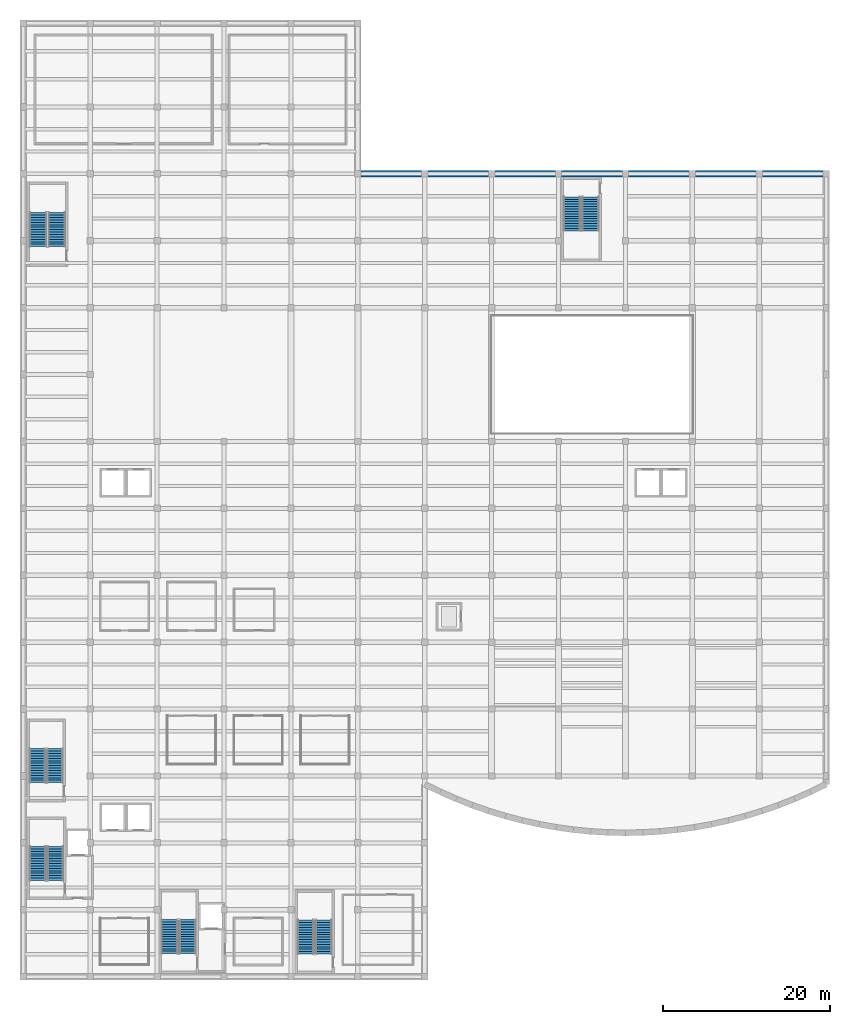
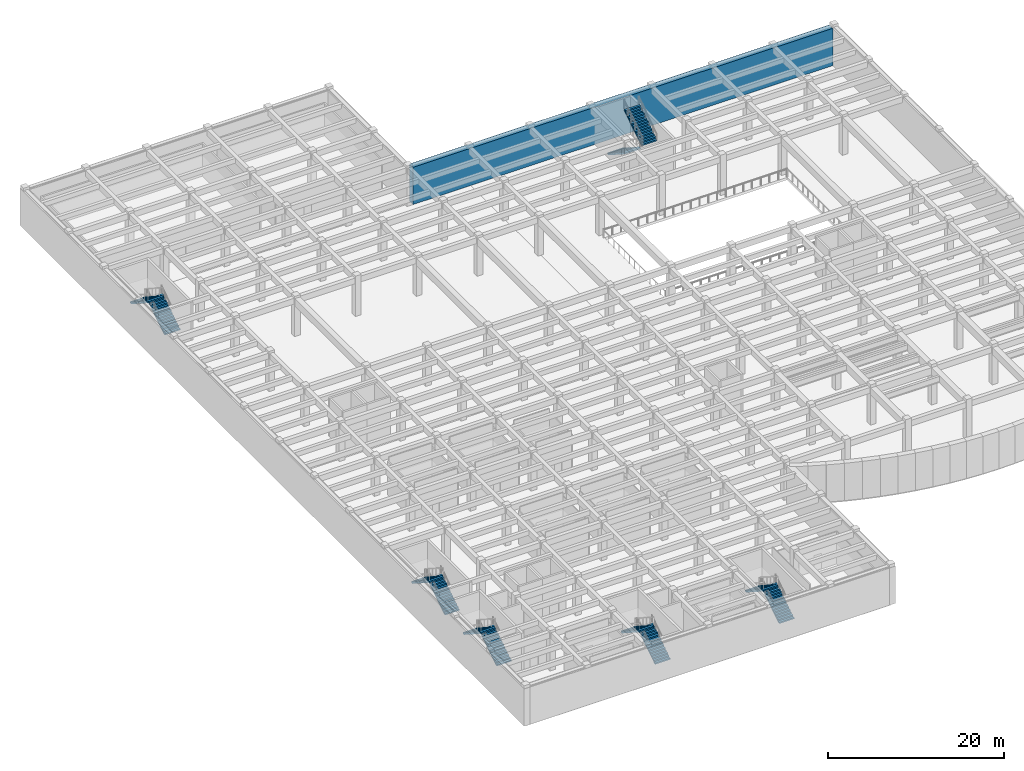
# One storey, part 11 of 19: 12 stair flights, 1 wall, 6 elements without a shape of their own.
"""IFC4 building model written with IfcOpenShell, lengths in metres."""

from ifc_helpers import new_model, si_unit, direction, frame, frame_2d, origin, place, context, subcontext, project, spatial, polyline, rectangle, outline, extrude, material, layer, layer_set, type_object, element, aggregate, save


model = new_model("IFC4")

# Units and contexts
model_context = context("Model", 3, precision=1e-05, world=origin(), true_north=direction((0.0, 1.0)))
body_context = subcontext(model_context, "Body", "Model", "MODEL_VIEW")
ifc_project = project(units=[si_unit("LENGTHUNIT", "METRE"), si_unit("AREAUNIT", "SQUARE_METRE"), si_unit("VOLUMEUNIT", "CUBIC_METRE"), si_unit("PLANEANGLEUNIT", "RADIAN"), si_unit("MASSUNIT", "GRAM", prefix="KILO")], contexts=[model_context])

# Site, building, storey
site_placement = place(None, origin())
site = spatial("IfcSite", under=ifc_project, at=site_placement, CompositionType="ELEMENT")
building_placement = place(site_placement, origin())
building = spatial("IfcBuilding", under=site, at=building_placement, Name="Drelvath Fold Interchange", CompositionType="ELEMENT")
storey_placement = place(building_placement, frame((0.0, 0.0, -5.60009765625)))
storey = spatial("IfcBuildingStorey", under=building, at=storey_placement, Name="B1", CompositionType="ELEMENT", Elevation=-5.60009765625)

# Wall
ifc_material_1 = material(Name="Concrete f'c 45 MPa (6500 psi)", Category="concrete")
ifc_layer = layer(ifc_material_1, 0.800048828125, Name="Concrete f'c 45 MPa (6500 psi)")
ifc_layer_set = layer_set([ifc_layer], Name="Concrete f'c 45 MPa (6500 psi)")
wall_type = type_object("IfcWallType", Name="WL-DW800", PredefinedType="SOLIDWALL", material=ifc_layer_set)
wall_placement = place(storey_placement, frame((44.39990234375, 99.0, 0.0), z_axis=(0.0, 0.0, 1.0), x_axis=(1.0, 0.0, 0.0)))
element("IfcWall", 1, at=wall_placement, inside=storey, type_object=wall_type, Name="B1 diaphragm wall 35", PredefinedType="SOLIDWALL", context=body_context, shape_type="SweptSolid", body=[
    extrude(rectangle(XDim=55.2001953125, YDim=0.800048828125, at=frame_2d((27.60009765625, 0.0))), origin(), (0.0, 0.0, 1.0), 5.18017578125),
])

# Stair, stair flights
ifc_material_2 = material(Name="Concrete f'c 35 MPa (5000 psi)", Category="concrete")
stair_type_1 = type_object("IfcStairType", Name="STR-01", PredefinedType="HALF_TURN_STAIR", material=ifc_material_2)
stair_1_placement = place(storey_placement, origin())
stair_1 = element("IfcStair", 2, at=stair_1_placement, inside=storey, type_object=stair_type_1, Name="B1 Protected Exit Stair ST-01", PredefinedType="HALF_TURN_STAIR")
stair_flight_type_1 = type_object("IfcStairFlightType", Name="STF-01", PredefinedType="STRAIGHT", material=ifc_material_2)
stair_flight_1_placement = place(storey_placement, frame((7.844970703125, 14.5, 0.0), z_axis=(0.0, 0.0, 1.0), x_axis=(0.0, 1.0, 0.0)))
stair_flight_1 = element("IfcStairFlight", 3, at=stair_flight_1_placement, type_object=stair_flight_type_1, Name="ST-01 flight 1", NumberOfRisers=15, NumberOfTreads=14, PredefinedType="STRAIGHT", RiserHeight=0.186666667, TreadLength=0.29, context=body_context, shape_type="SweptSolid", body=[
    extrude(outline(polyline([(0.0, 0.0), (0.0, 0.186767578125), (0.2900390625, 0.186767578125), (0.2900390625, 0.373291015625), (0.580078125, 0.373291015625), (0.580078125, 0.56005859375), (0.8701171875, 0.56005859375), (0.8701171875, 0.74658203125), (1.159912109375, 0.74658203125), (1.159912109375, 0.933349609375), (1.449951171875, 0.933349609375), (1.449951171875, 1.1201171875), (1.739990234375, 1.1201171875), (1.739990234375, 1.306640625), (2.030029296875, 1.306640625), (2.030029296875, 1.493408203125), (2.320068359375, 1.493408203125), (2.320068359375, 1.679931640625), (2.610107421875, 1.679931640625), (2.610107421875, 1.86669921875), (2.89990234375, 1.86669921875), (2.89990234375, 2.05322265625), (3.18994140625, 2.05322265625), (3.18994140625, 2.239990234375), (3.47998046875, 2.239990234375), (3.47998046875, 2.4267578125), (3.77001953125, 2.4267578125), (3.77001953125, 2.61328125), (4.06005859375, 2.61328125), (4.06005859375, 2.800048828125), (4.06005859375, 2.43505859375), (0.27685546875, 0.0), (0.0, 0.0)])), frame((0.0, 0.96484375, 0.0), z_axis=(0.0, -1.0, 0.0), x_axis=(1.0, 0.0, 0.0)), (0.0, 0.0, 1.0), 1.929931640625),
])
stair_flight_2_placement = place(storey_placement, frame((5.715087890625, 18.56005859375, 2.800048828125), z_axis=(0.0, 0.0, 1.0), x_axis=(0.0, -1.0, 0.0)))
stair_flight_2 = element("IfcStairFlight", 4, at=stair_flight_2_placement, type_object=stair_flight_type_1, Name="ST-01 flight 2", NumberOfRisers=15, NumberOfTreads=14, PredefinedType="STRAIGHT", RiserHeight=0.186666667, TreadLength=0.29, context=body_context, shape_type="SweptSolid", body=[
    extrude(outline(polyline([(0.0, 0.0), (0.0, 0.186767578125), (0.2900390625, 0.186767578125), (0.2900390625, 0.373291015625), (0.580078125, 0.373291015625), (0.580078125, 0.56005859375), (0.8701171875, 0.56005859375), (0.8701171875, 0.74658203125), (1.159912109375, 0.74658203125), (1.159912109375, 0.933349609375), (1.449951171875, 0.933349609375), (1.449951171875, 1.1201171875), (1.739990234375, 1.1201171875), (1.739990234375, 1.306640625), (2.030029296875, 1.306640625), (2.030029296875, 1.493408203125), (2.320068359375, 1.493408203125), (2.320068359375, 1.679931640625), (2.610107421875, 1.679931640625), (2.610107421875, 1.86669921875), (2.89990234375, 1.86669921875), (2.89990234375, 2.05322265625), (3.18994140625, 2.05322265625), (3.18994140625, 2.239990234375), (3.47998046875, 2.239990234375), (3.47998046875, 2.4267578125), (3.77001953125, 2.4267578125), (3.77001953125, 2.61328125), (4.06005859375, 2.61328125), (4.06005859375, 2.800048828125), (4.06005859375, 2.43505859375), (0.27685546875, 0.0), (0.0, 0.0)])), frame((0.0, 0.96484375, 0.0), z_axis=(0.0, -1.0, 0.0), x_axis=(1.0, 0.0, 0.0)), (0.0, 0.0, 1.0), 1.929931640625),
])
aggregate(stair_1, [stair_flight_1, stair_flight_2])

stair_type_2 = type_object("IfcStairType", Name="STR-02", PredefinedType="HALF_TURN_STAIR", material=ifc_material_2)
stair_2_placement = place(storey_placement, origin())
stair_2 = element("IfcStair", 5, at=stair_2_placement, inside=storey, type_object=stair_type_2, Name="B1 Protected Exit Stair ST-02", PredefinedType="HALF_TURN_STAIR")
stair_flight_type_2 = type_object("IfcStairFlightType", Name="STF-02", PredefinedType="STRAIGHT", material=ifc_material_2)
stair_flight_3_placement = place(storey_placement, frame((7.784912109375, 26.199951171875, 0.0), z_axis=(0.0, 0.0, 1.0), x_axis=(0.0, 1.0, 0.0)))
stair_flight_3 = element("IfcStairFlight", 6, at=stair_flight_3_placement, type_object=stair_flight_type_2, Name="ST-02 flight 1", NumberOfRisers=15, NumberOfTreads=14, PredefinedType="STRAIGHT", RiserHeight=0.186666667, TreadLength=0.29, context=body_context, shape_type="SweptSolid", body=[
    extrude(outline(polyline([(0.0, 0.0), (0.0, 0.186767578125), (0.2900390625, 0.186767578125), (0.2900390625, 0.373291015625), (0.580078125, 0.373291015625), (0.580078125, 0.56005859375), (0.8701171875, 0.56005859375), (0.8701171875, 0.74658203125), (1.159912109375, 0.74658203125), (1.159912109375, 0.933349609375), (1.449951171875, 0.933349609375), (1.449951171875, 1.1201171875), (1.739990234375, 1.1201171875), (1.739990234375, 1.306640625), (2.030029296875, 1.306640625), (2.030029296875, 1.493408203125), (2.320068359375, 1.493408203125), (2.320068359375, 1.679931640625), (2.610107421875, 1.679931640625), (2.610107421875, 1.86669921875), (2.89990234375, 1.86669921875), (2.89990234375, 2.05322265625), (3.18994140625, 2.05322265625), (3.18994140625, 2.239990234375), (3.47998046875, 2.239990234375), (3.47998046875, 2.4267578125), (3.77001953125, 2.4267578125), (3.77001953125, 2.61328125), (4.06005859375, 2.61328125), (4.06005859375, 2.800048828125), (4.06005859375, 2.43505859375), (0.27685546875, 0.0), (0.0, 0.0)])), frame((0.0, 0.94482421875, 0.0), z_axis=(0.0, -1.0, 0.0), x_axis=(1.0, 0.0, 0.0)), (0.0, 0.0, 1.0), 1.889892578125),
])
stair_flight_4_placement = place(storey_placement, frame((5.695068359375, 30.260009765625, 2.800048828125), z_axis=(0.0, 0.0, 1.0), x_axis=(0.0, -1.0, 0.0)))
stair_flight_4 = element("IfcStairFlight", 7, at=stair_flight_4_placement, type_object=stair_flight_type_2, Name="ST-02 flight 2", NumberOfRisers=15, NumberOfTreads=14, PredefinedType="STRAIGHT", RiserHeight=0.186666667, TreadLength=0.29, context=body_context, shape_type="SweptSolid", body=[
    extrude(outline(polyline([(0.0, 0.0), (0.0, 0.186767578125), (0.2900390625, 0.186767578125), (0.2900390625, 0.373291015625), (0.580078125, 0.373291015625), (0.580078125, 0.56005859375), (0.8701171875, 0.56005859375), (0.8701171875, 0.74658203125), (1.159912109375, 0.74658203125), (1.159912109375, 0.933349609375), (1.449951171875, 0.933349609375), (1.449951171875, 1.1201171875), (1.739990234375, 1.1201171875), (1.739990234375, 1.306640625), (2.030029296875, 1.306640625), (2.030029296875, 1.493408203125), (2.320068359375, 1.493408203125), (2.320068359375, 1.679931640625), (2.610107421875, 1.679931640625), (2.610107421875, 1.86669921875), (2.89990234375, 1.86669921875), (2.89990234375, 2.05322265625), (3.18994140625, 2.05322265625), (3.18994140625, 2.239990234375), (3.47998046875, 2.239990234375), (3.47998046875, 2.4267578125), (3.77001953125, 2.4267578125), (3.77001953125, 2.61328125), (4.06005859375, 2.61328125), (4.06005859375, 2.800048828125), (4.06005859375, 2.43505859375), (0.27685546875, 0.0), (0.0, 0.0)])), frame((0.0, 0.94482421875, 0.0), z_axis=(0.0, -1.0, 0.0), x_axis=(1.0, 0.0, 0.0)), (0.0, 0.0, 1.0), 1.889892578125),
])
aggregate(stair_2, [stair_flight_3, stair_flight_4])

stair_type_3 = type_object("IfcStairType", Name="STR-03", PredefinedType="HALF_TURN_STAIR", material=ifc_material_2)
stair_3_placement = place(storey_placement, origin())
stair_3 = element("IfcStair", 8, at=stair_3_placement, inside=storey, type_object=stair_type_3, Name="B1 Protected Exit Stair ST-03", PredefinedType="HALF_TURN_STAIR")
stair_flight_type_3 = type_object("IfcStairFlightType", Name="STF-03", PredefinedType="STRAIGHT", material=ifc_material_2)
stair_flight_5_placement = place(storey_placement, frame((23.669921875, 5.75, 0.0), z_axis=(0.0, 0.0, 1.0), x_axis=(0.0, 1.0, 0.0)))
stair_flight_5 = element("IfcStairFlight", 9, at=stair_flight_5_placement, type_object=stair_flight_type_3, Name="ST-03 flight 1", NumberOfRisers=15, NumberOfTreads=14, PredefinedType="STRAIGHT", RiserHeight=0.186666667, TreadLength=0.29, context=body_context, shape_type="SweptSolid", body=[
    extrude(outline(polyline([(0.0, 0.0), (0.0, 0.186767578125), (0.2900390625, 0.186767578125), (0.2900390625, 0.373291015625), (0.580078125, 0.373291015625), (0.580078125, 0.56005859375), (0.8701171875, 0.56005859375), (0.8701171875, 0.74658203125), (1.159912109375, 0.74658203125), (1.159912109375, 0.933349609375), (1.449951171875, 0.933349609375), (1.449951171875, 1.1201171875), (1.739990234375, 1.1201171875), (1.739990234375, 1.306640625), (2.030029296875, 1.306640625), (2.030029296875, 1.493408203125), (2.320068359375, 1.493408203125), (2.320068359375, 1.679931640625), (2.610107421875, 1.679931640625), (2.610107421875, 1.86669921875), (2.89990234375, 1.86669921875), (2.89990234375, 2.05322265625), (3.18994140625, 2.05322265625), (3.18994140625, 2.239990234375), (3.47998046875, 2.239990234375), (3.47998046875, 2.4267578125), (3.77001953125, 2.4267578125), (3.77001953125, 2.61328125), (4.06005859375, 2.61328125), (4.06005859375, 2.800048828125), (4.06005859375, 2.43505859375), (0.27685546875, 0.0), (0.0, 0.0)])), frame((0.0, 0.989990234375, 0.0), z_axis=(0.0, -1.0, 0.0), x_axis=(1.0, 0.0, 0.0)), (0.0, 0.0, 1.0), 1.97998046875),
])
stair_flight_6_placement = place(storey_placement, frame((21.489990234375, 9.81005859375, 2.800048828125), z_axis=(0.0, 0.0, 1.0), x_axis=(0.0, -1.0, 0.0)))
stair_flight_6 = element("IfcStairFlight", 10, at=stair_flight_6_placement, type_object=stair_flight_type_3, Name="ST-03 flight 2", NumberOfRisers=15, NumberOfTreads=14, PredefinedType="STRAIGHT", RiserHeight=0.186666667, TreadLength=0.29, context=body_context, shape_type="SweptSolid", body=[
    extrude(outline(polyline([(0.0, 0.0), (0.0, 0.186767578125), (0.2900390625, 0.186767578125), (0.2900390625, 0.373291015625), (0.580078125, 0.373291015625), (0.580078125, 0.56005859375), (0.8701171875, 0.56005859375), (0.8701171875, 0.74658203125), (1.159912109375, 0.74658203125), (1.159912109375, 0.933349609375), (1.449951171875, 0.933349609375), (1.449951171875, 1.1201171875), (1.739990234375, 1.1201171875), (1.739990234375, 1.306640625), (2.030029296875, 1.306640625), (2.030029296875, 1.493408203125), (2.320068359375, 1.493408203125), (2.320068359375, 1.679931640625), (2.610107421875, 1.679931640625), (2.610107421875, 1.86669921875), (2.89990234375, 1.86669921875), (2.89990234375, 2.05322265625), (3.18994140625, 2.05322265625), (3.18994140625, 2.239990234375), (3.47998046875, 2.239990234375), (3.47998046875, 2.4267578125), (3.77001953125, 2.4267578125), (3.77001953125, 2.61328125), (4.06005859375, 2.61328125), (4.06005859375, 2.800048828125), (4.06005859375, 2.43505859375), (0.27685546875, 0.0), (0.0, 0.0)])), frame((0.0, 0.989990234375, 0.0), z_axis=(0.0, -1.0, 0.0), x_axis=(1.0, 0.0, 0.0)), (0.0, 0.0, 1.0), 1.97998046875),
])
aggregate(stair_3, [stair_flight_5, stair_flight_6])

stair_type_4 = type_object("IfcStairType", Name="STR-04", PredefinedType="HALF_TURN_STAIR", material=ifc_material_2)
stair_4_placement = place(storey_placement, origin())
stair_4 = element("IfcStair", 11, at=stair_4_placement, inside=storey, type_object=stair_type_4, Name="B1 Protected Exit Stair ST-04", PredefinedType="HALF_TURN_STAIR")
stair_flight_type_4 = type_object("IfcStairFlightType", Name="STF-04", PredefinedType="STRAIGHT", material=ifc_material_2)
stair_flight_7_placement = place(storey_placement, frame((39.925048828125, 5.699951171875, 0.0), z_axis=(0.0, 0.0, 1.0), x_axis=(0.0, 1.0, 0.0)))
stair_flight_7 = element("IfcStairFlight", 12, at=stair_flight_7_placement, type_object=stair_flight_type_4, Name="ST-04 flight 1", NumberOfRisers=15, NumberOfTreads=14, PredefinedType="STRAIGHT", RiserHeight=0.186666667, TreadLength=0.29, context=body_context, shape_type="SweptSolid", body=[
    extrude(outline(polyline([(0.0, 0.0), (0.0, 0.186767578125), (0.2900390625, 0.186767578125), (0.2900390625, 0.373291015625), (0.580078125, 0.373291015625), (0.580078125, 0.56005859375), (0.8701171875, 0.56005859375), (0.8701171875, 0.74658203125), (1.159912109375, 0.74658203125), (1.159912109375, 0.933349609375), (1.449951171875, 0.933349609375), (1.449951171875, 1.1201171875), (1.739990234375, 1.1201171875), (1.739990234375, 1.306640625), (2.030029296875, 1.306640625), (2.030029296875, 1.493408203125), (2.320068359375, 1.493408203125), (2.320068359375, 1.679931640625), (2.610107421875, 1.679931640625), (2.610107421875, 1.86669921875), (2.89990234375, 1.86669921875), (2.89990234375, 2.05322265625), (3.18994140625, 2.05322265625), (3.18994140625, 2.239990234375), (3.47998046875, 2.239990234375), (3.47998046875, 2.4267578125), (3.77001953125, 2.4267578125), (3.77001953125, 2.61328125), (4.06005859375, 2.61328125), (4.06005859375, 2.800048828125), (4.06005859375, 2.43505859375), (0.27685546875, 0.0), (0.0, 0.0)])), frame((0.0, 0.97509765625, 0.0), z_axis=(0.0, -1.0, 0.0), x_axis=(1.0, 0.0, 0.0)), (0.0, 0.0, 1.0), 1.949951171875),
])
stair_flight_8_placement = place(storey_placement, frame((37.77490234375, 9.760009765625, 2.800048828125), z_axis=(0.0, 0.0, 1.0), x_axis=(0.0, -1.0, 0.0)))
stair_flight_8 = element("IfcStairFlight", 13, at=stair_flight_8_placement, type_object=stair_flight_type_4, Name="ST-04 flight 2", NumberOfRisers=15, NumberOfTreads=14, PredefinedType="STRAIGHT", RiserHeight=0.186666667, TreadLength=0.29, context=body_context, shape_type="SweptSolid", body=[
    extrude(outline(polyline([(0.0, 0.0), (0.0, 0.186767578125), (0.2900390625, 0.186767578125), (0.2900390625, 0.373291015625), (0.580078125, 0.373291015625), (0.580078125, 0.56005859375), (0.8701171875, 0.56005859375), (0.8701171875, 0.74658203125), (1.159912109375, 0.74658203125), (1.159912109375, 0.933349609375), (1.449951171875, 0.933349609375), (1.449951171875, 1.1201171875), (1.739990234375, 1.1201171875), (1.739990234375, 1.306640625), (2.030029296875, 1.306640625), (2.030029296875, 1.493408203125), (2.320068359375, 1.493408203125), (2.320068359375, 1.679931640625), (2.610107421875, 1.679931640625), (2.610107421875, 1.86669921875), (2.89990234375, 1.86669921875), (2.89990234375, 2.05322265625), (3.18994140625, 2.05322265625), (3.18994140625, 2.239990234375), (3.47998046875, 2.239990234375), (3.47998046875, 2.4267578125), (3.77001953125, 2.4267578125), (3.77001953125, 2.61328125), (4.06005859375, 2.61328125), (4.06005859375, 2.800048828125), (4.06005859375, 2.43505859375), (0.27685546875, 0.0), (0.0, 0.0)])), frame((0.0, 0.97509765625, 0.0), z_axis=(0.0, -1.0, 0.0), x_axis=(1.0, 0.0, 0.0)), (0.0, 0.0, 1.0), 1.949951171875),
])
aggregate(stair_4, [stair_flight_7, stair_flight_8])

stair_type_5 = type_object("IfcStairType", Name="STR-05", PredefinedType="HALF_TURN_STAIR", material=ifc_material_2)
stair_5_placement = place(storey_placement, origin())
stair_5 = element("IfcStair", 14, at=stair_5_placement, inside=storey, type_object=stair_type_5, Name="B1 Protected Exit Stair ST-05", PredefinedType="HALF_TURN_STAIR")
stair_flight_type_5 = type_object("IfcStairFlightType", Name="STF-05", PredefinedType="STRAIGHT", material=ifc_material_2)
stair_flight_9_placement = place(storey_placement, frame((8.010009765625, 90.300048828125, 0.0), z_axis=(0.0, 0.0, 1.0), x_axis=(0.0, 1.0, 0.0)))
stair_flight_9 = element("IfcStairFlight", 15, at=stair_flight_9_placement, type_object=stair_flight_type_5, Name="ST-05 flight 1", NumberOfRisers=15, NumberOfTreads=14, PredefinedType="STRAIGHT", RiserHeight=0.186666667, TreadLength=0.29, context=body_context, shape_type="SweptSolid", body=[
    extrude(outline(polyline([(0.0, 0.0), (0.0, 0.186767578125), (0.2900390625, 0.186767578125), (0.2900390625, 0.373291015625), (0.580078125, 0.373291015625), (0.580078125, 0.56005859375), (0.8701171875, 0.56005859375), (0.8701171875, 0.74658203125), (1.159912109375, 0.74658203125), (1.159912109375, 0.933349609375), (1.449951171875, 0.933349609375), (1.449951171875, 1.1201171875), (1.739990234375, 1.1201171875), (1.739990234375, 1.306640625), (2.030029296875, 1.306640625), (2.030029296875, 1.493408203125), (2.320068359375, 1.493408203125), (2.320068359375, 1.679931640625), (2.610107421875, 1.679931640625), (2.610107421875, 1.86669921875), (2.89990234375, 1.86669921875), (2.89990234375, 2.05322265625), (3.18994140625, 2.05322265625), (3.18994140625, 2.239990234375), (3.47998046875, 2.239990234375), (3.47998046875, 2.4267578125), (3.77001953125, 2.4267578125), (3.77001953125, 2.61328125), (4.06005859375, 2.61328125), (4.06005859375, 2.800048828125), (4.06005859375, 2.43505859375), (0.27685546875, 0.0), (0.0, 0.0)])), frame((0.0, 1.02001953125, 0.0), z_axis=(0.0, -1.0, 0.0), x_axis=(1.0, 0.0, 0.0)), (0.0, 0.0, 1.0), 2.0400390625),
])
stair_flight_10_placement = place(storey_placement, frame((5.77001953125, 94.360107421875, 2.800048828125), z_axis=(0.0, 0.0, 1.0), x_axis=(0.0, -1.0, 0.0)))
stair_flight_10 = element("IfcStairFlight", 16, at=stair_flight_10_placement, type_object=stair_flight_type_5, Name="ST-05 flight 2", NumberOfRisers=15, NumberOfTreads=14, PredefinedType="STRAIGHT", RiserHeight=0.186666667, TreadLength=0.29, context=body_context, shape_type="SweptSolid", body=[
    extrude(outline(polyline([(0.0, 0.0), (0.0, 0.186767578125), (0.2900390625, 0.186767578125), (0.2900390625, 0.373291015625), (0.580078125, 0.373291015625), (0.580078125, 0.56005859375), (0.8701171875, 0.56005859375), (0.8701171875, 0.74658203125), (1.159912109375, 0.74658203125), (1.159912109375, 0.933349609375), (1.449951171875, 0.933349609375), (1.449951171875, 1.1201171875), (1.739990234375, 1.1201171875), (1.739990234375, 1.306640625), (2.030029296875, 1.306640625), (2.030029296875, 1.493408203125), (2.320068359375, 1.493408203125), (2.320068359375, 1.679931640625), (2.610107421875, 1.679931640625), (2.610107421875, 1.86669921875), (2.89990234375, 1.86669921875), (2.89990234375, 2.05322265625), (3.18994140625, 2.05322265625), (3.18994140625, 2.239990234375), (3.47998046875, 2.239990234375), (3.47998046875, 2.4267578125), (3.77001953125, 2.4267578125), (3.77001953125, 2.61328125), (4.06005859375, 2.61328125), (4.06005859375, 2.800048828125), (4.06005859375, 2.43505859375), (0.27685546875, 0.0), (0.0, 0.0)])), frame((0.0, 1.02001953125, 0.0), z_axis=(0.0, -1.0, 0.0), x_axis=(1.0, 0.0, 0.0)), (0.0, 0.0, 1.0), 2.0400390625),
])
aggregate(stair_5, [stair_flight_9, stair_flight_10])

stair_type_6 = type_object("IfcStairType", Name="STR-06", PredefinedType="HALF_TURN_STAIR", material=ifc_material_2)
stair_6_placement = place(storey_placement, origin())
stair_6 = element("IfcStair", 17, at=stair_6_placement, inside=storey, type_object=stair_type_6, Name="B1 Protected Exit Stair ST-06", PredefinedType="HALF_TURN_STAIR")
stair_flight_type_6 = type_object("IfcStairFlightType", Name="STF-06", PredefinedType="STRAIGHT", material=ifc_material_2)
stair_flight_11_placement = place(storey_placement, frame((69.60498046875, 96.25, 0.0), z_axis=(0.0, 0.0, 1.0), x_axis=(0.0, -1.0, 0.0)))
stair_flight_11 = element("IfcStairFlight", 18, at=stair_flight_11_placement, type_object=stair_flight_type_6, Name="ST-06 flight 1", NumberOfRisers=15, NumberOfTreads=14, PredefinedType="STRAIGHT", RiserHeight=0.186666667, TreadLength=0.29, context=body_context, shape_type="SweptSolid", body=[
    extrude(outline(polyline([(0.0, 0.0), (0.0, 0.186767578125), (0.2900390625, 0.186767578125), (0.2900390625, 0.373291015625), (0.580078125, 0.373291015625), (0.580078125, 0.56005859375), (0.8701171875, 0.56005859375), (0.8701171875, 0.74658203125), (1.159912109375, 0.74658203125), (1.159912109375, 0.933349609375), (1.449951171875, 0.933349609375), (1.449951171875, 1.1201171875), (1.739990234375, 1.1201171875), (1.739990234375, 1.306640625), (2.030029296875, 1.306640625), (2.030029296875, 1.493408203125), (2.320068359375, 1.493408203125), (2.320068359375, 1.679931640625), (2.610107421875, 1.679931640625), (2.610107421875, 1.86669921875), (2.89990234375, 1.86669921875), (2.89990234375, 2.05322265625), (3.18994140625, 2.05322265625), (3.18994140625, 2.239990234375), (3.47998046875, 2.239990234375), (3.47998046875, 2.4267578125), (3.77001953125, 2.4267578125), (3.77001953125, 2.61328125), (4.06005859375, 2.61328125), (4.06005859375, 2.800048828125), (4.06005859375, 2.43505859375), (0.27685546875, 0.0), (0.0, 0.0)])), frame((0.0, 1.0048828125, 0.0), z_axis=(0.0, -1.0, 0.0), x_axis=(1.0, 0.0, 0.0)), (0.0, 0.0, 1.0), 2.010009765625),
])
stair_flight_12_placement = place(storey_placement, frame((71.81494140625, 92.18994140625, 2.800048828125), z_axis=(0.0, 0.0, 1.0), x_axis=(0.0, 1.0, 0.0)))
stair_flight_12 = element("IfcStairFlight", 19, at=stair_flight_12_placement, type_object=stair_flight_type_6, Name="ST-06 flight 2", NumberOfRisers=15, NumberOfTreads=14, PredefinedType="STRAIGHT", RiserHeight=0.186666667, TreadLength=0.29, context=body_context, shape_type="SweptSolid", body=[
    extrude(outline(polyline([(0.0, 0.0), (0.0, 0.186767578125), (0.2900390625, 0.186767578125), (0.2900390625, 0.373291015625), (0.580078125, 0.373291015625), (0.580078125, 0.56005859375), (0.8701171875, 0.56005859375), (0.8701171875, 0.74658203125), (1.159912109375, 0.74658203125), (1.159912109375, 0.933349609375), (1.449951171875, 0.933349609375), (1.449951171875, 1.1201171875), (1.739990234375, 1.1201171875), (1.739990234375, 1.306640625), (2.030029296875, 1.306640625), (2.030029296875, 1.493408203125), (2.320068359375, 1.493408203125), (2.320068359375, 1.679931640625), (2.610107421875, 1.679931640625), (2.610107421875, 1.86669921875), (2.89990234375, 1.86669921875), (2.89990234375, 2.05322265625), (3.18994140625, 2.05322265625), (3.18994140625, 2.239990234375), (3.47998046875, 2.239990234375), (3.47998046875, 2.4267578125), (3.77001953125, 2.4267578125), (3.77001953125, 2.61328125), (4.06005859375, 2.61328125), (4.06005859375, 2.800048828125), (4.06005859375, 2.43505859375), (0.27685546875, 0.0), (0.0, 0.0)])), frame((0.0, 1.0048828125, 0.0), z_axis=(0.0, -1.0, 0.0), x_axis=(1.0, 0.0, 0.0)), (0.0, 0.0, 1.0), 2.010009765625),
])
aggregate(stair_6, [stair_flight_11, stair_flight_12])

save(model, "model.ifc")
